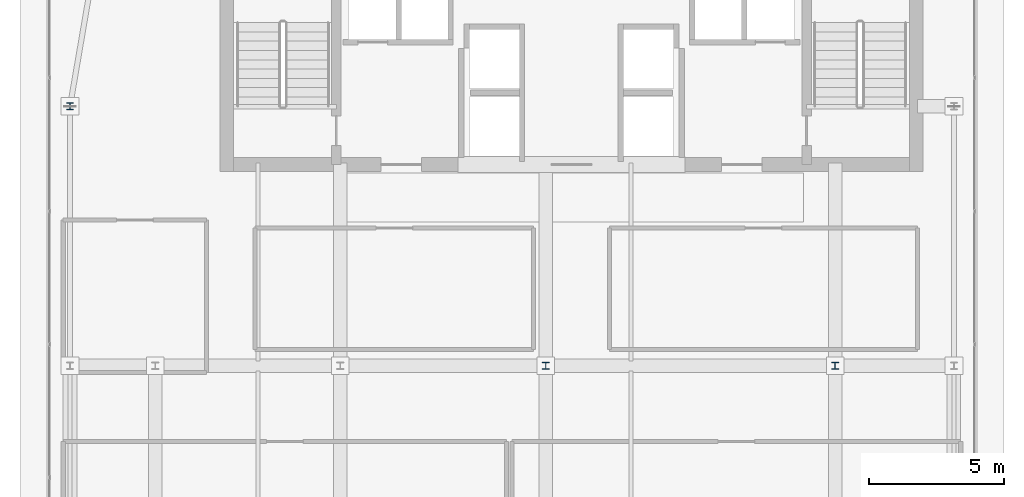
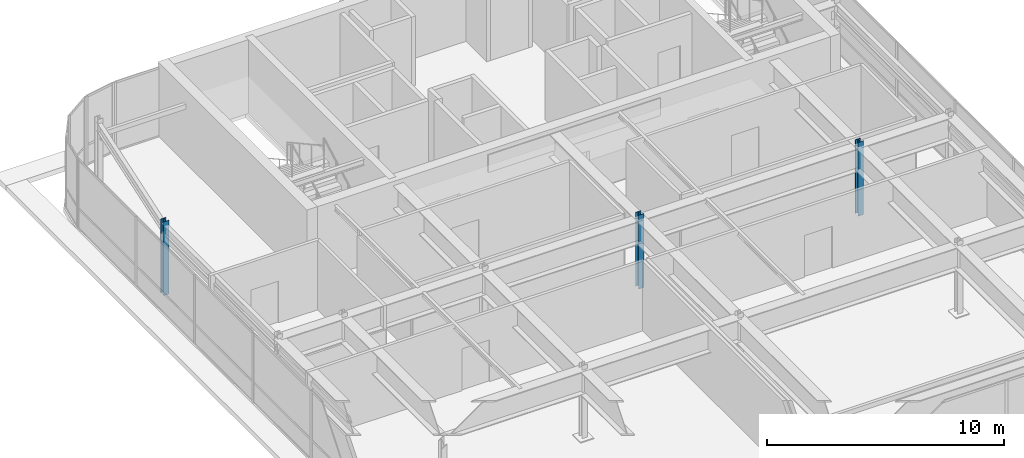
# One storey, part 2 of 35: 3 columns.
"""IFC4 building model written with IfcOpenShell, lengths in metres."""

from ifc_helpers import new_model, si_unit, direction, frame, origin, origin_2d, place, context, subcontext, project, spatial, i_section, extrude, source, transform, mapped, material, material_profile, profile_set, type_object, type_shapes, element, save


model = new_model("IFC4")

# Units and contexts
model_context = context("Model", 3, precision=1e-05, world=origin(), true_north=direction((0.0, 1.0)))
body_context = subcontext(model_context, "Body", "Model", "MODEL_VIEW")
ifc_project = project(units=[si_unit("LENGTHUNIT", "METRE"), si_unit("AREAUNIT", "SQUARE_METRE"), si_unit("VOLUMEUNIT", "CUBIC_METRE"), si_unit("PLANEANGLEUNIT", "RADIAN"), si_unit("MASSUNIT", "GRAM", prefix="KILO")], contexts=[model_context])

# Site, building, storey
site_placement = place(None, origin())
site = spatial("IfcSite", under=ifc_project, at=site_placement, CompositionType="ELEMENT")
building_placement = place(site_placement, origin())
building = spatial("IfcBuilding", under=site, at=building_placement, Name="Tolvann Quenvar Hotel", CompositionType="ELEMENT")
storey_placement = place(building_placement, frame((0.0, 0.0, 290.949951171875)))
storey = spatial("IfcBuildingStorey", under=building, at=storey_placement, Name="L77", CompositionType="ELEMENT", Elevation=290.949951171875)

# Columns
ifc_material = material(Name="Steel Grade 350", Category="steel")
ifc_material_profile = material_profile(ifc_material, i_section(OverallWidth=0.256103515625, OverallDepth=0.260009765625, WebThickness=0.010498046875, FlangeThickness=0.017333984375, FilletRadius=0.013916015625, at=origin_2d()), Name="250UC90")
ifc_profile_set = profile_set([ifc_material_profile], Name="Steel Grade 350")
column_type = type_object("IfcColumnType", Name="COL_250UC90", PredefinedType="COLUMN", material=ifc_profile_set)
shared_shape = source(origin(), body_context, "Body", "SweptSolid", [
    extrude(i_section(OverallWidth=0.256103515625, OverallDepth=0.260009765625, WebThickness=0.010498046875, FlangeThickness=0.017333984375, FilletRadius=0.013916015625, at=origin_2d()), origin(), (0.0, 0.0, 1.0), 3.800048828125),
])
type_shapes(column_type, [shared_shape])
for number, where, z_axis, x_axis, name in (
    (1, (22.050048828125, 24.39990234375, 0.0), (0.0, 0.0, 1.0), (1.0, 0.0, 0.0), "Column E5 (L77)"),
    (2, (32.75, 24.39990234375, 0.0), (0.0, 0.0, 1.0), (1.0, 0.0, 0.0), "Column FP5 (L77)"),
    (3, (4.449951171875, 34.0, 0.0), (0.0, 0.0, 1.0), (1.0, 0.0, 0.0), "Column BD6 (L77)"),
):
    element("IfcColumn", number, at=place(storey_placement, frame(where, z_axis=z_axis, x_axis=x_axis)), inside=storey, type_object=column_type, Name=name, PredefinedType="COLUMN", context=body_context, shape_type="MappedRepresentation", body=[
        mapped(shared_shape, transform((0.0, 0.0, 0.0), x_axis=(1.0, 0.0, 0.0), y_axis=(0.0, 1.0, 0.0), z_axis=(0.0, 0.0, 1.0), scale=1.0)),
    ])

save(model, "model.ifc")
